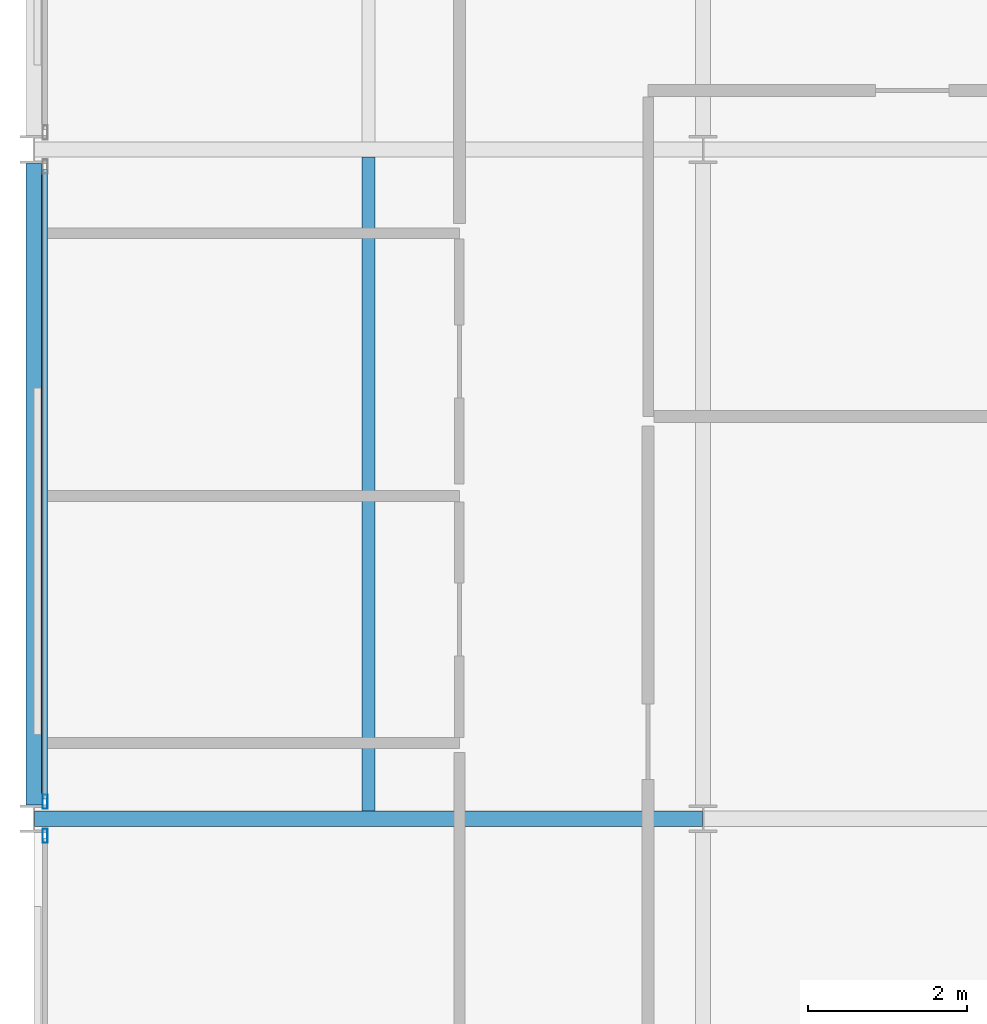
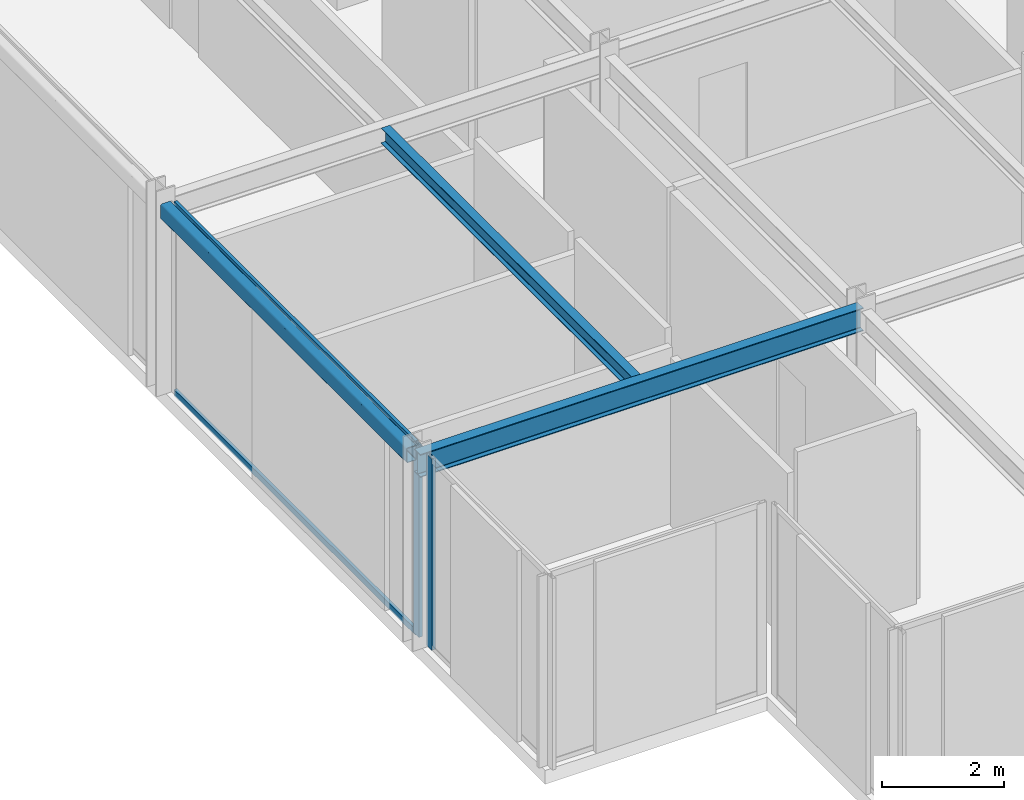
# One storey, part 4 of 25: 4 members, 3 beams, 2 elements without a shape of their own.
"""IFC4 building model written with IfcOpenShell, lengths in metres."""

from ifc_helpers import new_model, si_unit, direction, frame, origin, origin_2d, place, context, subcontext, project, spatial, hollow_rectangle, i_section, extrude, material, layer, layer_set, material_profile, profile_set, type_object, element, aggregate, save


model = new_model("IFC4")

# Units and contexts
model_context = context("Model", 3, precision=1e-05, world=origin(), true_north=direction((0.0, 1.0)))
body_context = subcontext(model_context, "Body", "Model", "MODEL_VIEW")
ifc_project = project(units=[si_unit("LENGTHUNIT", "METRE"), si_unit("AREAUNIT", "SQUARE_METRE"), si_unit("VOLUMEUNIT", "CUBIC_METRE"), si_unit("PLANEANGLEUNIT", "RADIAN"), si_unit("MASSUNIT", "GRAM", prefix="KILO")], contexts=[model_context])

# Site, building, storey
site_placement = place(None, origin())
site = spatial("IfcSite", under=ifc_project, at=site_placement, CompositionType="ELEMENT")
building_placement = place(site_placement, origin())
building = spatial("IfcBuilding", under=site, at=building_placement, Name="Nerrivon Quay Data Exchange", CompositionType="ELEMENT")
storey_placement = place(building_placement, frame((0.0, 0.0, 237.0)))
storey = spatial("IfcBuildingStorey", under=building, at=storey_placement, Name="L56", CompositionType="ELEMENT", Elevation=237.0)

# Beams
ifc_material_1 = material(Name="Steel Grade 350", Category="steel")
ifc_material_profile_1 = material_profile(ifc_material_1, i_section(OverallWidth=0.19091796875, OverallDepth=0.4599609375, WebThickness=0.010009765625, FlangeThickness=0.01611328125, FilletRadius=0.011474609375, at=origin_2d()), Name="460UB82.1")
ifc_profile_set_1 = profile_set([ifc_material_profile_1], Name="Steel Grade 350")
beam_type_1 = type_object("IfcBeamType", Name="BM-G5-460UB82", PredefinedType="BEAM", material=ifc_profile_set_1)
beam_1_placement = place(storey_placement, frame((0.010009765625, 8.39990234375, 3.594970703125), z_axis=(1.0, 0.0, 0.0), x_axis=(0.0, 1.0, 0.0)))
element("IfcBeam", 1, at=beam_1_placement, inside=storey, type_object=beam_type_1, Name="L56 EW Girder Y=8.4 (0.0..8.4)", PredefinedType="BEAM", context=body_context, shape_type="SweptSolid", body=[
    extrude(i_section(OverallWidth=0.19091796875, OverallDepth=0.4599609375, WebThickness=0.010009765625, FlangeThickness=0.01611328125, FilletRadius=0.011474609375, at=origin_2d()), origin(), (0.0, 0.0, 1.0), 8.3798828125),
])
ifc_material_profile_2 = material_profile(ifc_material_1, i_section(OverallWidth=0.166015625, OverallDepth=0.306884765625, WebThickness=0.006591796875, FlangeThickness=0.01171875, FilletRadius=0.011474609375, at=origin_2d()), Name="310UB46.2")
ifc_profile_set_2 = profile_set([ifc_material_profile_2], Name="Steel Grade 350")
beam_type_2 = type_object("IfcBeamType", Name="BM-J5-310UB46", PredefinedType="JOIST", material=ifc_profile_set_2)
beam_2_placement = place(storey_placement, frame((4.199951171875, 8.49560546875, 3.67138671875), z_axis=(0.0, 1.0, 0.0), x_axis=(-1.0, 0.0, 0.0)))
element("IfcBeam", 2, at=beam_2_placement, inside=storey, type_object=beam_type_2, Name="L56 Secondary Joist X=4.2 (8.4..16.8)", PredefinedType="JOIST", context=body_context, shape_type="SweptSolid", body=[
    extrude(i_section(OverallWidth=0.166015625, OverallDepth=0.306884765625, WebThickness=0.006591796875, FlangeThickness=0.01171875, FilletRadius=0.011474609375, at=origin_2d()), origin(), (0.0, 0.0, 1.0), 8.208984375),
])
ifc_material_2 = material(Name="Steel Grade C350L0 (350 MPa)", Category="steel")
ifc_material_profile_3 = material_profile(ifc_material_2, hollow_rectangle(XDim=0.199951171875, YDim=0.300048828125, WallThickness=0.012451171875, InnerFilletRadius=0.018798828125, OuterFilletRadius=0.03125, at=origin_2d()), Name="300x200x12.5RHS")
ifc_profile_set_3 = profile_set([ifc_material_profile_3], Name="Steel Grade C350L0 (350 MPa)")
beam_type_3 = type_object("IfcBeamType", Name="BM-SP3-300x200RHS", PredefinedType="SPANDREL", material=ifc_profile_set_3)
beam_3_placement = place(storey_placement, frame((0.0, 8.574951171875, 3.675048828125), z_axis=(0.0, 1.0, 0.0), x_axis=(-1.0, 0.0, 0.0)))
element("IfcBeam", 3, at=beam_3_placement, inside=storey, type_object=beam_type_3, Name="L56 NS Girder X=0.0 (8.4..16.8)", PredefinedType="SPANDREL", context=body_context, shape_type="SweptSolid", body=[
    extrude(hollow_rectangle(XDim=0.199951171875, YDim=0.300048828125, WallThickness=0.012451171875, InnerFilletRadius=0.018798828125, OuterFilletRadius=0.03125, at=origin_2d()), origin(), (0.0, 0.0, 1.0), 8.050048828125),
])

# Curtain wall, member
ifc_material_3 = material(Name="Anodised aluminium 6063-T6", Category="aluminium")
ifc_layer = layer(ifc_material_3, 0.195068359375)
ifc_layer_set = layer_set([ifc_layer], Name="Anodised aluminium 6063-T6")
curtain_wall_type = type_object("IfcCurtainWallType", Name="CW-SYS-06", PredefinedType="NOTDEFINED", material=ifc_layer_set)
curtain_wall_1_placement = place(storey_placement, origin())
curtain_wall_1 = element("IfcCurtainWall", 4, at=curtain_wall_1_placement, inside=storey, type_object=curtain_wall_type, Name="L56 Unitised Curtain Wall 11", PredefinedType="NOTDEFINED")
ifc_material_profile_4 = material_profile(ifc_material_3, hollow_rectangle(XDim=0.06494140625, YDim=0.179931640625, WallThickness=0.00341796875, at=origin_2d()), Name="ALU-MULL-180x65")
ifc_profile_set_4 = profile_set([ifc_material_profile_4], Name="Anodised aluminium 6063-T6")
member_type_1 = type_object("IfcMemberType", Name="CWM-180x65", PredefinedType="MULLION", material=ifc_profile_set_4)
member_1_placement = place(storey_placement, frame((0.139892578125, 8.1875, 0.0), z_axis=(0.0, 0.0, 1.0), x_axis=(-1.0, 0.0, 0.0)))
member_1 = element("IfcMember", 5, at=member_1_placement, type_object=member_type_1, Name="CW06 mullion 2", PredefinedType="MULLION", context=body_context, shape_type="SweptSolid", body=[
    extrude(hollow_rectangle(XDim=0.06494140625, YDim=0.179931640625, WallThickness=0.00341796875, at=origin_2d()), origin(), (0.0, 0.0, 1.0), 3.824951171875),
])
aggregate(curtain_wall_1, [member_1])

# Curtain wall, members
curtain_wall_2_placement = place(storey_placement, origin())
curtain_wall_2 = element("IfcCurtainWall", 6, at=curtain_wall_2_placement, inside=storey, type_object=curtain_wall_type, Name="L56 Unitised Curtain Wall 12", PredefinedType="NOTDEFINED")
member_2_placement = place(storey_placement, frame((0.139892578125, 8.612548828125, 0.0), z_axis=(0.0, 0.0, 1.0), x_axis=(-1.0, 0.0, 0.0)))
member_2 = element("IfcMember", 7, at=member_2_placement, type_object=member_type_1, Name="CW06 mullion 1", PredefinedType="MULLION", context=body_context, shape_type="SweptSolid", body=[
    extrude(hollow_rectangle(XDim=0.06494140625, YDim=0.179931640625, WallThickness=0.00341796875, at=origin_2d()), origin(), (0.0, 0.0, 1.0), 3.824951171875),
])
ifc_material_profile_5 = material_profile(ifc_material_3, hollow_rectangle(XDim=0.06005859375, YDim=0.1201171875, WallThickness=0.003173828125, at=origin_2d()), Name="ALU-TRAN-120x60")
ifc_profile_set_5 = profile_set([ifc_material_profile_5], Name="Anodised aluminium 6063-T6")
member_type_2 = type_object("IfcMemberType", Name="CWT-120x60", PredefinedType="USERDEFINED", material=ifc_profile_set_5)
member_3_placement = place(storey_placement, frame((0.139892578125, 8.64990234375, 0.032470703125), z_axis=(0.0, 1.0, 0.0), x_axis=(-1.0, 0.0, 0.0)))
member_3 = element("IfcMember", 8, at=member_3_placement, type_object=member_type_2, Name="CW06 transom 1.1", ObjectType="TRANSOM", PredefinedType="USERDEFINED", context=body_context, shape_type="SweptSolid", body=[
    extrude(hollow_rectangle(XDim=0.06005859375, YDim=0.1201171875, WallThickness=0.003173828125, at=origin_2d()), origin(), (0.0, 0.0, 1.0), 7.900146484375),
])
member_4_placement = place(storey_placement, frame((0.139892578125, 8.64990234375, 3.79248046875), z_axis=(0.0, 1.0, 0.0), x_axis=(-1.0, 0.0, 0.0)))
member_4 = element("IfcMember", 9, at=member_4_placement, type_object=member_type_2, Name="CW06 transom 1.2", ObjectType="TRANSOM", PredefinedType="USERDEFINED", context=body_context, shape_type="SweptSolid", body=[
    extrude(hollow_rectangle(XDim=0.06005859375, YDim=0.1201171875, WallThickness=0.003173828125, at=origin_2d()), origin(), (0.0, 0.0, 1.0), 7.900146484375),
])
aggregate(curtain_wall_2, [member_2, member_3, member_4])

save(model, "model.ifc")
